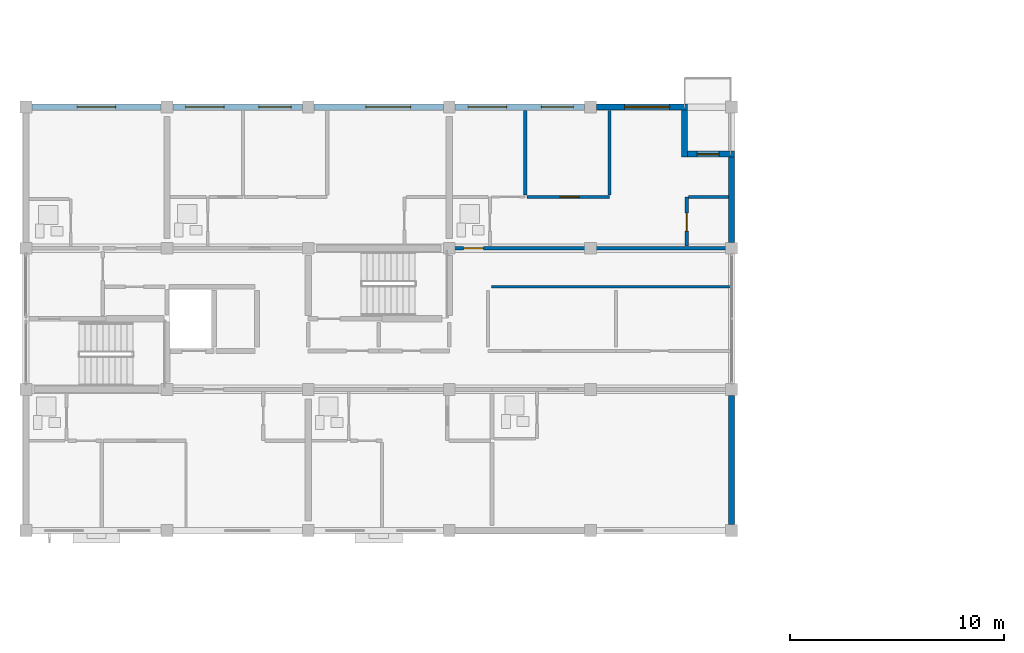
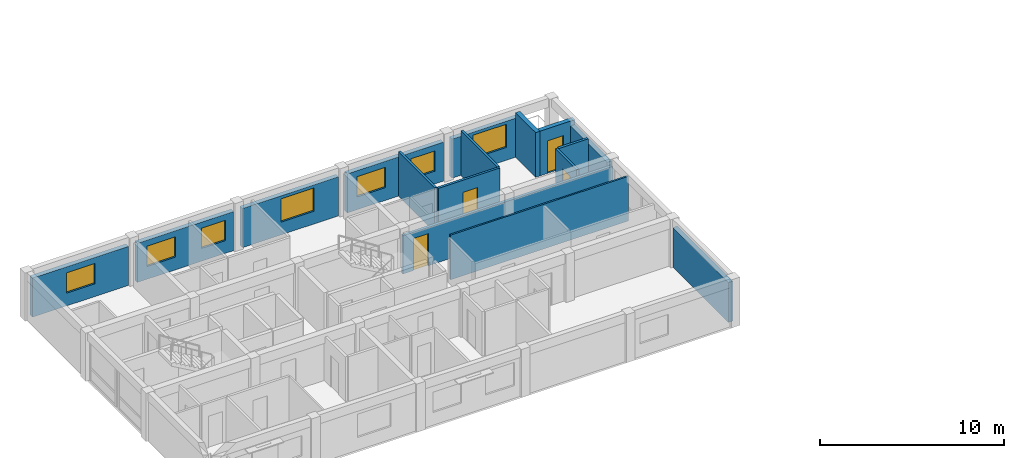
# One storey, part 33 of 49: 16 walls, 7 windows, 4 doors, 11 openings.
"""IFC4 building model written with IfcOpenShell, lengths in metres."""

from ifc_helpers import new_model, si_unit, direction, frame, frame_2d, origin, place, context, subcontext, project, spatial, rectangle, extrude, material, layer, layer_set, type_object, element, fill, save


model = new_model("IFC4")

# Units and contexts
model_context = context("Model", 3, precision=1e-05, world=origin(), true_north=direction((0.0, 1.0)))
body_context = subcontext(model_context, "Body", "Model", "MODEL_VIEW")
ifc_project = project(units=[si_unit("LENGTHUNIT", "METRE"), si_unit("AREAUNIT", "SQUARE_METRE"), si_unit("VOLUMEUNIT", "CUBIC_METRE"), si_unit("PLANEANGLEUNIT", "RADIAN"), si_unit("MASSUNIT", "GRAM", prefix="KILO")], contexts=[model_context])

# Site, building, storey
site_placement = place(None, origin())
site = spatial("IfcSite", under=ifc_project, at=site_placement, CompositionType="ELEMENT")
building_placement = place(site_placement, origin())
building = spatial("IfcBuilding", under=site, at=building_placement, Name="Kernevlak Ridge Housing Community", CompositionType="ELEMENT")
storey_placement = place(building_placement, frame((0.0, 0.0, 30.800048828125)))
storey = spatial("IfcBuildingStorey", under=building, at=storey_placement, Name="L09", CompositionType="ELEMENT", Elevation=30.800048828125)

# Wall, opening, window
ifc_material_1 = material(Name="Concrete block masonry M10", Category="masonry")
ifc_layer_1 = layer(ifc_material_1, 0.280029296875, Name="Concrete block masonry M10")
ifc_layer_set_1 = layer_set([ifc_layer_1], Name="Concrete block masonry M10")
wall_type_1 = type_object("IfcWallType", Name="EW-03", PredefinedType="STANDARD", material=ifc_layer_set_1)
wall_1_placement = place(storey_placement, frame((15.875, 95.800048828125, 0.0), z_axis=(0.0, 0.0, 1.0), x_axis=(1.0, 0.0, 0.0)))
wall_1 = element("IfcWall", 1, at=wall_1_placement, inside=storey, type_object=wall_type_1, Name="Exterior wall EW-03 L09 146", PredefinedType="STANDARD", context=body_context, shape_type="SweptSolid", body=[
    extrude(rectangle(XDim=6.050048828125, YDim=0.280029296875, at=frame_2d((3.02490234375, 0.0))), origin(), (0.0, 0.0, 1.0), 2.599853515625),
])
opening_1_placement = place(wall_1_placement, frame((2.125, 0.0, 0.85009765625)))
opening_1 = element("IfcOpeningElement", 2, at=opening_1_placement, cuts=wall_1, Name="Opening WT-03", PredefinedType="OPENING", context=body_context, shape_type="SweptSolid", body=[
    extrude(rectangle(XDim=1.800048828125, YDim=1.35009765625, at=frame_2d((0.89990234375, 0.675048828125))), frame((0.0, 0.14990234375, 0.0), z_axis=(0.0, -1.0, 0.0), x_axis=(1.0, 0.0, 0.0)), (0.0, 0.0, 1.0), 0.300048828125),
])
ifc_material_2 = material(Name="Aluminium EN AW-6060 anodised and laminated glass", Category="aluminium")
window_type_1 = type_object("IfcWindowType", Name="WT-03", PartitioningType="SINGLE_PANEL", PredefinedType="WINDOW", material=ifc_material_2)
window_1_placement = place(opening_1_placement, origin())
window_1 = element("IfcWindow", 3, at=window_1_placement, inside=storey, type_object=window_type_1, Name="Window WT-03 L09 115", OverallHeight=1.35009765625, OverallWidth=1.800048828125, PartitioningType="SINGLE_PANEL", PredefinedType="WINDOW", context=body_context, shape_type="SweptSolid", body=[
    extrude(rectangle(XDim=1.800048828125, YDim=1.35009765625, at=frame_2d((0.89990234375, 0.675048828125))), frame((0.0, 0.030029296875, 0.0), z_axis=(0.0, -1.0, 0.0), x_axis=(1.0, 0.0, 0.0)), (0.0, 0.0, 1.0), 0.06005859375),
])
fill(opening_1, window_1)

# Wall, openings, windows
wall_2_placement = place(storey_placement, frame((22.47509765625, 95.800048828125, 0.0), z_axis=(0.0, 0.0, 1.0), x_axis=(1.0, 0.0, 0.0)))
wall_2 = element("IfcWall", 4, at=wall_2_placement, inside=storey, type_object=wall_type_1, Name="Exterior wall EW-03 L09 147", PredefinedType="STANDARD", context=body_context, shape_type="SweptSolid", body=[
    extrude(rectangle(XDim=6.0498046875, YDim=0.280029296875, at=frame_2d((3.02490234375, 0.0))), origin(), (0.0, 0.0, 1.0), 2.599853515625),
])
opening_2_placement = place(wall_2_placement, frame((0.60009765625, 0.0, 0.85009765625)))
opening_2 = element("IfcOpeningElement", 5, at=opening_2_placement, cuts=wall_2, Name="Opening WT-03", PredefinedType="OPENING", context=body_context, shape_type="SweptSolid", body=[
    extrude(rectangle(XDim=1.800048828125, YDim=1.35009765625, at=frame_2d((0.89990234375, 0.675048828125))), frame((0.0, 0.14990234375, 0.0), z_axis=(0.0, -1.0, 0.0), x_axis=(1.0, 0.0, 0.0)), (0.0, 0.0, 1.0), 0.300048828125),
])
opening_3_placement = place(wall_2_placement, frame((4.02490234375, 0.0, 0.85009765625)))
opening_3 = element("IfcOpeningElement", 6, at=opening_3_placement, cuts=wall_2, Name="Opening WT-02", PredefinedType="OPENING", context=body_context, shape_type="SweptSolid", body=[
    extrude(rectangle(XDim=1.5, YDim=1.35009765625, at=frame_2d((0.75, 0.675048828125))), frame((0.0, 0.14990234375, 0.0), z_axis=(0.0, -1.0, 0.0), x_axis=(1.0, 0.0, 0.0)), (0.0, 0.0, 1.0), 0.300048828125),
])
window_type_2 = type_object("IfcWindowType", Name="WT-02", PartitioningType="SINGLE_PANEL", PredefinedType="WINDOW", material=ifc_material_2)
window_2_placement = place(opening_3_placement, origin())
window_2 = element("IfcWindow", 7, at=window_2_placement, inside=storey, type_object=window_type_2, Name="Window WT-02 L09 117", OverallHeight=1.35009765625, OverallWidth=1.5, PartitioningType="SINGLE_PANEL", PredefinedType="WINDOW", context=body_context, shape_type="SweptSolid", body=[
    extrude(rectangle(XDim=1.5, YDim=1.35009765625, at=frame_2d((0.75, 0.675048828125))), frame((0.0, 0.030029296875, 0.0), z_axis=(0.0, -1.0, 0.0), x_axis=(1.0, 0.0, 0.0)), (0.0, 0.0, 1.0), 0.06005859375),
])
fill(opening_3, window_2)
window_3_placement = place(opening_2_placement, origin())
window_3 = element("IfcWindow", 8, at=window_3_placement, inside=storey, type_object=window_type_1, Name="Window WT-03 L09 116", OverallHeight=1.35009765625, OverallWidth=1.800048828125, PartitioningType="SINGLE_PANEL", PredefinedType="WINDOW", context=body_context, shape_type="SweptSolid", body=[
    extrude(rectangle(XDim=1.800048828125, YDim=1.35009765625, at=frame_2d((0.89990234375, 0.675048828125))), frame((0.0, 0.030029296875, 0.0), z_axis=(0.0, -1.0, 0.0), x_axis=(1.0, 0.0, 0.0)), (0.0, 0.0, 1.0), 0.06005859375),
])
fill(opening_2, window_3)

# Wall, opening, window
wall_3_placement = place(storey_placement, frame((29.074951171875, 95.800048828125, 0.0), z_axis=(0.0, 0.0, 1.0), x_axis=(1.0, 0.0, 0.0)))
wall_3 = element("IfcWall", 9, at=wall_3_placement, inside=storey, type_object=wall_type_1, Name="Exterior wall EW-03 L09 148", PredefinedType="STANDARD", context=body_context, shape_type="SweptSolid", body=[
    extrude(rectangle(XDim=6.050048828125, YDim=0.280029296875, at=frame_2d((3.02490234375, 0.0))), origin(), (0.0, 0.0, 1.0), 2.599853515625),
])
opening_4_placement = place(wall_3_placement, frame((2.4208984375, 0.0, 0.85009765625)))
opening_4 = element("IfcOpeningElement", 10, at=opening_4_placement, cuts=wall_3, Name="Opening WT-05", PredefinedType="OPENING", context=body_context, shape_type="SweptSolid", body=[
    extrude(rectangle(XDim=2.10009765625, YDim=1.550048828125, at=frame_2d((1.050048828125, 0.77490234375))), frame((0.0, 0.14990234375, 0.0), z_axis=(0.0, -1.0, 0.0), x_axis=(1.0, 0.0, 0.0)), (0.0, 0.0, 1.0), 0.300048828125),
])
window_type_3 = type_object("IfcWindowType", Name="WT-05", PartitioningType="SINGLE_PANEL", PredefinedType="WINDOW", material=ifc_material_2)
window_4_placement = place(opening_4_placement, origin())
window_4 = element("IfcWindow", 11, at=window_4_placement, inside=storey, type_object=window_type_3, Name="Window WT-05 L09 118", OverallHeight=1.550048828125, OverallWidth=2.10009765625, PartitioningType="SINGLE_PANEL", PredefinedType="WINDOW", context=body_context, shape_type="SweptSolid", body=[
    extrude(rectangle(XDim=2.10009765625, YDim=1.550048828125, at=frame_2d((1.050048828125, 0.77490234375))), frame((0.0, 0.030029296875, 0.0), z_axis=(0.0, -1.0, 0.0), x_axis=(1.0, 0.0, 0.0)), (0.0, 0.0, 1.0), 0.06005859375),
])
fill(opening_4, window_4)

# Wall, openings, windows
wall_4_placement = place(storey_placement, frame((35.675048828125, 95.800048828125, 0.0), z_axis=(0.0, 0.0, 1.0), x_axis=(1.0, 0.0, 0.0)))
wall_4 = element("IfcWall", 12, at=wall_4_placement, inside=storey, type_object=wall_type_1, Name="Exterior wall EW-03 L09 149", PredefinedType="STANDARD", context=body_context, shape_type="SweptSolid", body=[
    extrude(rectangle(XDim=6.050048828125, YDim=0.280029296875, at=frame_2d((3.02490234375, 0.0))), origin(), (0.0, 0.0, 1.0), 2.599853515625),
])
opening_5_placement = place(wall_4_placement, frame((0.60009765625, 0.0, 0.85009765625)))
opening_5 = element("IfcOpeningElement", 13, at=opening_5_placement, cuts=wall_4, Name="Opening WT-03", PredefinedType="OPENING", context=body_context, shape_type="SweptSolid", body=[
    extrude(rectangle(XDim=1.800048828125, YDim=1.35009765625, at=frame_2d((0.89990234375, 0.675048828125))), frame((0.0, 0.14990234375, 0.0), z_axis=(0.0, -1.0, 0.0), x_axis=(1.0, 0.0, 0.0)), (0.0, 0.0, 1.0), 0.300048828125),
])
opening_6_placement = place(wall_4_placement, frame((4.02490234375, 0.0, 0.85009765625)))
opening_6 = element("IfcOpeningElement", 14, at=opening_6_placement, cuts=wall_4, Name="Opening WT-02", PredefinedType="OPENING", context=body_context, shape_type="SweptSolid", body=[
    extrude(rectangle(XDim=1.5, YDim=1.35009765625, at=frame_2d((0.75, 0.675048828125))), frame((0.0, 0.14990234375, 0.0), z_axis=(0.0, -1.0, 0.0), x_axis=(1.0, 0.0, 0.0)), (0.0, 0.0, 1.0), 0.300048828125),
])
window_5_placement = place(opening_6_placement, origin())
window_5 = element("IfcWindow", 15, at=window_5_placement, inside=storey, type_object=window_type_2, Name="Window WT-02 L09 120", OverallHeight=1.35009765625, OverallWidth=1.5, PartitioningType="SINGLE_PANEL", PredefinedType="WINDOW", context=body_context, shape_type="SweptSolid", body=[
    extrude(rectangle(XDim=1.5, YDim=1.35009765625, at=frame_2d((0.75, 0.675048828125))), frame((0.0, 0.030029296875, 0.0), z_axis=(0.0, -1.0, 0.0), x_axis=(1.0, 0.0, 0.0)), (0.0, 0.0, 1.0), 0.06005859375),
])
fill(opening_6, window_5)
window_6_placement = place(opening_5_placement, origin())
window_6 = element("IfcWindow", 16, at=window_6_placement, inside=storey, type_object=window_type_1, Name="Window WT-03 L09 119", OverallHeight=1.35009765625, OverallWidth=1.800048828125, PartitioningType="SINGLE_PANEL", PredefinedType="WINDOW", context=body_context, shape_type="SweptSolid", body=[
    extrude(rectangle(XDim=1.800048828125, YDim=1.35009765625, at=frame_2d((0.89990234375, 0.675048828125))), frame((0.0, 0.030029296875, 0.0), z_axis=(0.0, -1.0, 0.0), x_axis=(1.0, 0.0, 0.0)), (0.0, 0.0, 1.0), 0.06005859375),
])
fill(opening_5, window_6)

# Wall, opening, window
wall_5_placement = place(storey_placement, frame((42.27490234375, 95.800048828125, 0.0), z_axis=(0.0, 0.0, 1.0), x_axis=(1.0, 0.0, 0.0)))
wall_5 = element("IfcWall", 17, at=wall_5_placement, inside=storey, type_object=wall_type_1, Name="Exterior wall EW-03 L09 150", PredefinedType="STANDARD", context=body_context, shape_type="SweptSolid", body=[
    extrude(rectangle(XDim=4.26513671875, YDim=0.280029296875, at=frame_2d((2.132568359375, 0.0))), origin(), (0.0, 0.0, 1.0), 2.599853515625),
])
opening_7_placement = place(wall_5_placement, frame((1.321044921875, 0.0, 0.85009765625)))
opening_7 = element("IfcOpeningElement", 18, at=opening_7_placement, cuts=wall_5, Name="Opening WT-05", PredefinedType="OPENING", context=body_context, shape_type="SweptSolid", body=[
    extrude(rectangle(XDim=2.10009765625, YDim=1.550048828125, at=frame_2d((1.050048828125, 0.77490234375))), frame((0.0, 0.14990234375, 0.0), z_axis=(0.0, -1.0, 0.0), x_axis=(1.0, 0.0, 0.0)), (0.0, 0.0, 1.0), 0.300048828125),
])
window_7_placement = place(opening_7_placement, origin())
window_7 = element("IfcWindow", 19, at=window_7_placement, inside=storey, type_object=window_type_3, Name="Window WT-05 L09 121", OverallHeight=1.550048828125, OverallWidth=2.10009765625, PartitioningType="SINGLE_PANEL", PredefinedType="WINDOW", context=body_context, shape_type="SweptSolid", body=[
    extrude(rectangle(XDim=2.10009765625, YDim=1.550048828125, at=frame_2d((1.050048828125, 0.77490234375))), frame((0.0, 0.030029296875, 0.0), z_axis=(0.0, -1.0, 0.0), x_axis=(1.0, 0.0, 0.0)), (0.0, 0.0, 1.0), 0.06005859375),
])
fill(opening_7, window_7)

# Wall
wall_6_placement = place(storey_placement, frame((46.39990234375, 95.659912109375, 0.0), z_axis=(0.0, 0.0, 1.0), x_axis=(0.0, -1.0, 0.0)))
element("IfcWall", 20, at=wall_6_placement, inside=storey, type_object=wall_type_1, Name="Exterior wall EW-03 L09 151", PredefinedType="STANDARD", context=body_context, shape_type="SweptSolid", body=[
    extrude(rectangle(XDim=2.199951171875, YDim=0.280029296875, at=frame_2d((1.10009765625, 0.0))), origin(), (0.0, 0.0, 1.0), 2.969970703125),
])

# Wall, opening, door
wall_7_placement = place(storey_placement, frame((46.5400390625, 93.60009765625, 0.0), z_axis=(0.0, 0.0, 1.0), x_axis=(1.0, 0.0, 0.0)))
wall_7 = element("IfcWall", 21, at=wall_7_placement, inside=storey, type_object=wall_type_1, Name="Exterior wall EW-03 L09 152", PredefinedType="STANDARD", context=body_context, shape_type="SweptSolid", body=[
    extrude(rectangle(XDim=2.199951171875, YDim=0.280029296875, at=frame_2d((1.10009765625, 0.0))), origin(), (0.0, 0.0, 1.0), 2.969970703125),
])
opening_8_placement = place(wall_7_placement, frame((0.449951171875, 0.0, 0.0)))
opening_8 = element("IfcOpeningElement", 22, at=opening_8_placement, cuts=wall_7, Name="Opening D318", PredefinedType="OPENING", context=body_context, shape_type="SweptSolid", body=[
    extrude(rectangle(XDim=1.02001953125, YDim=2.159912109375, at=frame_2d((0.510009765625, 1.080078125))), frame((0.0, 0.14990234375, 0.0), z_axis=(0.0, -1.0, 0.0), x_axis=(1.0, 0.0, 0.0)), (0.0, 0.0, 1.0), 0.300048828125),
])
ifc_material_3 = material(Name="Aluminium EN AW-6060 and laminated safety glass", Category="aluminium")
door_type_1 = type_object("IfcDoorType", Name="DT-33", OperationType="NOTDEFINED", PredefinedType="DOOR", material=ifc_material_3)
door_1_placement = place(opening_8_placement, origin())
door_1 = element("IfcDoor", 23, at=door_1_placement, inside=storey, type_object=door_type_1, Name="Flat A0923 corner balcony glazed door D318", OperationType="SINGLE_SWING_RIGHT", OverallHeight=2.159912109375, OverallWidth=1.02001953125, PredefinedType="DOOR", context=body_context, shape_type="SweptSolid", body=[
    extrude(rectangle(XDim=1.02001953125, YDim=2.159912109375, at=frame_2d((0.510009765625, 1.080078125))), frame((0.0, 0.02490234375, 0.0), z_axis=(0.0, -1.0, 0.0), x_axis=(1.0, 0.0, 0.0)), (0.0, 0.0, 1.0), 0.050048828125),
])
fill(opening_8, door_1)

# Walls
wall_8_placement = place(storey_placement, frame((48.60009765625, 76.27490234375, 0.0), z_axis=(0.0, 0.0, 1.0), x_axis=(0.0, 1.0, 0.0)))
element("IfcWall", 24, at=wall_8_placement, inside=storey, type_object=wall_type_1, Name="Exterior wall EW-03 L09 155", PredefinedType="STANDARD", context=body_context, shape_type="SweptSolid", body=[
    extrude(rectangle(XDim=6.050048828125, YDim=0.280029296875, at=frame_2d((3.02490234375, 0.0))), origin(), (0.0, 0.0, 1.0), 2.64990234375),
])
wall_9_placement = place(storey_placement, frame((48.60009765625, 89.47509765625, 0.0), z_axis=(0.0, 0.0, 1.0), x_axis=(0.0, 1.0, 0.0)))
element("IfcWall", 25, at=wall_9_placement, inside=storey, type_object=wall_type_1, Name="Exterior wall EW-03 L09 156", PredefinedType="STANDARD", context=body_context, shape_type="SweptSolid", body=[
    extrude(rectangle(XDim=3.98486328125, YDim=0.280029296875, at=frame_2d((1.992431640625, 0.0))), origin(), (0.0, 0.0, 1.0), 2.64990234375),
])

# Wall, opening, door
ifc_layer_2 = layer(ifc_material_1, 0.175048828125, Name="Concrete block masonry M10")
ifc_layer_set_2 = layer_set([ifc_layer_2], Name="Concrete block masonry M10")
wall_type_2 = type_object("IfcWallType", Name="PW-02", PredefinedType="PARTITIONING", material=ifc_layer_set_2)
wall_10_placement = place(storey_placement, frame((35.39990234375, 89.199951171875, 0.0), z_axis=(0.0, 0.0, 1.0), x_axis=(1.0, 0.0, 0.0)))
wall_10 = element("IfcWall", 26, at=wall_10_placement, inside=storey, type_object=wall_type_2, Name="Interior wall PW-02 WAL-INT-L09-0621", PredefinedType="PARTITIONING", context=body_context, shape_type="SweptSolid", body=[
    extrude(rectangle(XDim=13.2001953125, YDim=0.175048828125, at=frame_2d((6.60009765625, 0.0))), origin(), (0.0, 0.0, 1.0), 2.550048828125),
])
opening_9_placement = place(wall_10_placement, frame((0.669921875, 0.0, 0.0)))
opening_9 = element("IfcOpeningElement", 27, at=opening_9_placement, cuts=wall_10, Name="Opening D313", PredefinedType="OPENING", context=body_context, shape_type="SweptSolid", body=[
    extrude(rectangle(XDim=0.919921875, YDim=2.139892578125, at=frame_2d((0.4599609375, 1.06982421875))), frame((0.0, 0.097412109375, 0.0), z_axis=(0.0, -1.0, 0.0), x_axis=(1.0, 0.0, 0.0)), (0.0, 0.0, 1.0), 0.195068359375),
])
ifc_material_4 = material(Name="Hardwood timber solid-core fire leaf", Category="wood")
door_type_2 = type_object("IfcDoorType", Name="DT-20", OperationType="NOTDEFINED", PredefinedType="DOOR", material=ifc_material_4)
door_2_placement = place(opening_9_placement, origin())
door_2 = element("IfcDoor", 28, at=door_2_placement, inside=storey, type_object=door_type_2, Name="Flat A0923 entrance fire door D313", OperationType="SINGLE_SWING_LEFT", OverallHeight=2.139892578125, OverallWidth=0.919921875, PredefinedType="DOOR", context=body_context, shape_type="SweptSolid", body=[
    extrude(rectangle(XDim=0.919921875, YDim=2.139892578125, at=frame_2d((0.4599609375, 1.06982421875))), frame((0.0, 0.02490234375, 0.0), z_axis=(0.0, -1.0, 0.0), x_axis=(1.0, 0.0, 0.0)), (0.0, 0.0, 1.0), 0.050048828125),
])
fill(opening_9, door_2)

# Wall
ifc_layer_3 = layer(ifc_material_1, 0.14501953125, Name="Concrete block masonry M10")
ifc_layer_set_3 = layer_set([ifc_layer_3], Name="Concrete block masonry M10")
wall_type_3 = type_object("IfcWallType", Name="PW-03", PredefinedType="PARTITIONING", material=ifc_layer_set_3)
wall_11_placement = place(storey_placement, frame((38.949951171875, 91.679931640625, 0.0), z_axis=(0.0, 0.0, 1.0), x_axis=(0.0, 1.0, 0.0)))
element("IfcWall", 29, at=wall_11_placement, inside=storey, type_object=wall_type_3, Name="Interior wall PW-03 WAL-INT-L09-0627", PredefinedType="PARTITIONING", context=body_context, shape_type="SweptSolid", body=[
    extrude(rectangle(XDim=3.969970703125, YDim=0.14501953125, at=frame_2d((1.98486328125, 0.0))), origin(), (0.0, 0.0, 1.0), 2.969970703125),
])

# Wall, opening, door
wall_12_placement = place(storey_placement, frame((39.032470703125, 91.60009765625, 0.0), z_axis=(0.0, 0.0, 1.0), x_axis=(1.0, 0.0, 0.0)))
wall_12 = element("IfcWall", 30, at=wall_12_placement, inside=storey, type_object=wall_type_3, Name="Interior wall PW-03 WAL-INT-L09-0628", PredefinedType="PARTITIONING", context=body_context, shape_type="SweptSolid", body=[
    extrude(rectangle(XDim=3.859619140625, YDim=0.14501953125, at=frame_2d((1.9296875, 0.0))), origin(), (0.0, 0.0, 1.0), 2.969970703125),
])
opening_10_placement = place(wall_12_placement, frame((1.5458984375, 0.0, 0.0)))
opening_10 = element("IfcOpeningElement", 31, at=opening_10_placement, cuts=wall_12, Name="Opening D317", PredefinedType="OPENING", context=body_context, shape_type="SweptSolid", body=[
    extrude(rectangle(XDim=0.89990234375, YDim=2.159912109375, at=frame_2d((0.449951171875, 1.080078125))), frame((0.0, 0.08251953125, 0.0), z_axis=(0.0, -1.0, 0.0), x_axis=(1.0, 0.0, 0.0)), (0.0, 0.0, 1.0), 0.1650390625),
])
ifc_material_5 = material(Name="Hardwood timber leaf", Category="wood")
door_type_3 = type_object("IfcDoorType", Name="DT-22", OperationType="NOTDEFINED", PredefinedType="DOOR", material=ifc_material_5)
door_3_placement = place(opening_10_placement, origin())
door_3 = element("IfcDoor", 32, at=door_3_placement, inside=storey, type_object=door_type_3, Name="Flat A0923 bedroom door D317", OperationType="SINGLE_SWING_LEFT", OverallHeight=2.159912109375, OverallWidth=0.89990234375, PredefinedType="DOOR", context=body_context, shape_type="SweptSolid", body=[
    extrude(rectangle(XDim=0.89990234375, YDim=2.159912109375, at=frame_2d((0.449951171875, 1.080078125))), frame((0.0, 0.02490234375, 0.0), z_axis=(0.0, -1.0, 0.0), x_axis=(1.0, 0.0, 0.0)), (0.0, 0.0, 1.0), 0.050048828125),
])
fill(opening_10, door_3)

# Wall
wall_13_placement = place(storey_placement, frame((42.89208984375, 91.6826171875, 0.0), z_axis=(0.0, 0.0, 1.0), x_axis=(0.0, 1.0, 0.0)))
element("IfcWall", 33, at=wall_13_placement, inside=storey, type_object=wall_type_3, Name="Interior wall PW-03 WAL-INT-L09-0629", PredefinedType="PARTITIONING", context=body_context, shape_type="SweptSolid", body=[
    extrude(rectangle(XDim=3.96728515625, YDim=0.14501953125, at=frame_2d((1.983642578125, 0.0))), origin(), (0.0, 0.0, 1.0), 2.969970703125),
])

# Wall, opening, door
ifc_material_6 = material(Name="Gypsum plasterboard EN 520", Category="gypsum")
ifc_layer_4 = layer(ifc_material_6, 0.155029296875, Name="Gypsum plasterboard EN 520")
ifc_layer_set_4 = layer_set([ifc_layer_4], Name="Gypsum plasterboard EN 520")
wall_type_4 = type_object("IfcWallType", Name="PW-05", PredefinedType="PARTITIONING", material=ifc_layer_set_4)
wall_14_placement = place(storey_placement, frame((46.5, 89.297607421875, 0.0), z_axis=(0.0, 0.0, 1.0), x_axis=(0.0, 1.0, 0.0)))
wall_14 = element("IfcWall", 34, at=wall_14_placement, inside=storey, type_object=wall_type_4, Name="Interior wall PW-05 WAL-INT-L09-0624", PredefinedType="PARTITIONING", context=body_context, shape_type="SweptSolid", body=[
    extrude(rectangle(XDim=2.302490234375, YDim=0.155029296875, at=frame_2d((1.1513671875, 0.0))), origin(), (0.0, 0.0, 1.0), 2.969970703125),
])
opening_11_placement = place(wall_14_placement, frame((0.699951171875, 0.0, 0.0)))
opening_11 = element("IfcOpeningElement", 35, at=opening_11_placement, cuts=wall_14, Name="Opening D315", PredefinedType="OPENING", context=body_context, shape_type="SweptSolid", body=[
    extrude(rectangle(XDim=0.85009765625, YDim=2.10009765625, at=frame_2d((0.425048828125, 1.050048828125))), frame((0.0, 0.08740234375, 0.0), z_axis=(0.0, -1.0, 0.0), x_axis=(1.0, 0.0, 0.0)), (0.0, 0.0, 1.0), 0.175048828125),
])
door_type_4 = type_object("IfcDoorType", Name="DT-03", OperationType="NOTDEFINED", PredefinedType="DOOR", material=ifc_material_5)
door_4_placement = place(opening_11_placement, origin())
door_4 = element("IfcDoor", 36, at=door_4_placement, inside=storey, type_object=door_type_4, Name="Flat A0923 kitchen door D315", OperationType="SINGLE_SWING_LEFT", OverallHeight=2.10009765625, OverallWidth=0.85009765625, PredefinedType="DOOR", context=body_context, shape_type="SweptSolid", body=[
    extrude(rectangle(XDim=0.85009765625, YDim=2.10009765625, at=frame_2d((0.425048828125, 1.050048828125))), frame((0.0, 0.02490234375, 0.0), z_axis=(0.0, -1.0, 0.0), x_axis=(1.0, 0.0, 0.0)), (0.0, 0.0, 1.0), 0.050048828125),
])
fill(opening_11, door_4)

# Walls
wall_15_placement = place(storey_placement, frame((46.58740234375, 91.60009765625, 0.0), z_axis=(0.0, 0.0, 1.0), x_axis=(1.0, 0.0, 0.0)))
element("IfcWall", 37, at=wall_15_placement, inside=storey, type_object=wall_type_4, Name="Interior wall PW-05 WAL-INT-L09-0625", PredefinedType="PARTITIONING", context=body_context, shape_type="SweptSolid", body=[
    extrude(rectangle(XDim=1.862548828125, YDim=0.155029296875, at=frame_2d((0.93115234375, 0.0))), origin(), (0.0, 0.0, 1.0), 2.969970703125),
])
ifc_layer_5 = layer(ifc_material_6, 0.10498046875, Name="Gypsum plasterboard EN 520")
ifc_layer_set_5 = layer_set([ifc_layer_5], Name="Gypsum plasterboard EN 520")
wall_type_5 = type_object("IfcWallType", Name="PW-06", PredefinedType="PARTITIONING", material=ifc_layer_set_5)
wall_16_placement = place(storey_placement, frame((37.3798828125, 87.39990234375, 0.0), z_axis=(0.0, 0.0, 1.0), x_axis=(1.0, 0.0, 0.0)))
element("IfcWall", 38, at=wall_16_placement, inside=storey, type_object=wall_type_5, Name="Interior wall PW-06 WAL-INT-L09-0586", PredefinedType="PARTITIONING", context=body_context, shape_type="SweptSolid", body=[
    extrude(rectangle(XDim=11.2001953125, YDim=0.10498046875, at=frame_2d((5.60009765625, 0.0))), origin(), (0.0, 0.0, 1.0), 2.969970703125),
])

save(model, "model.ifc")
